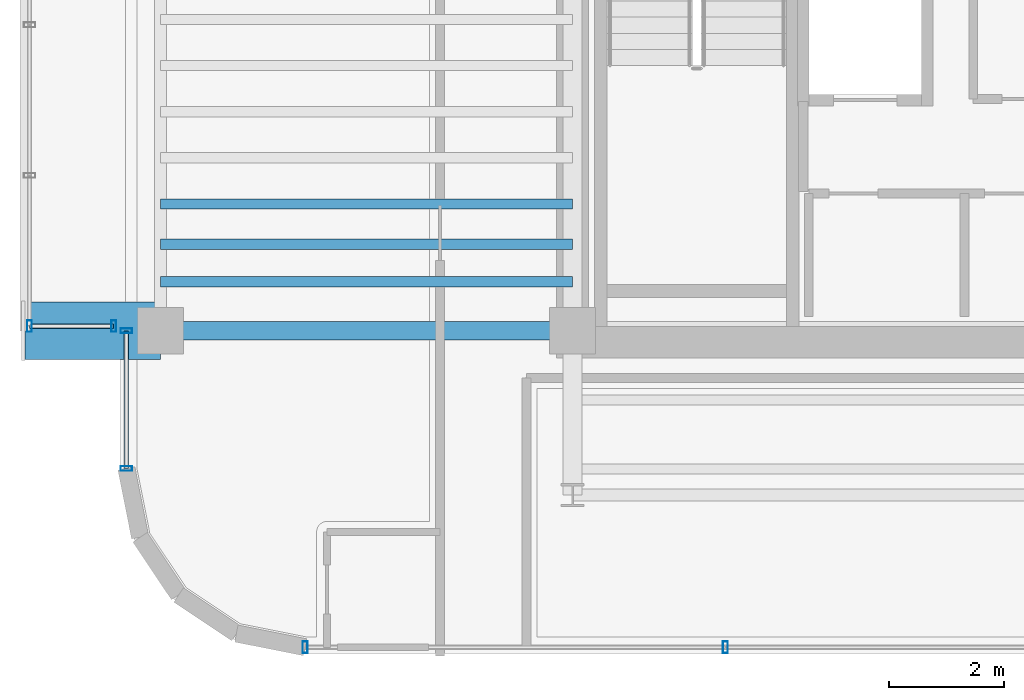
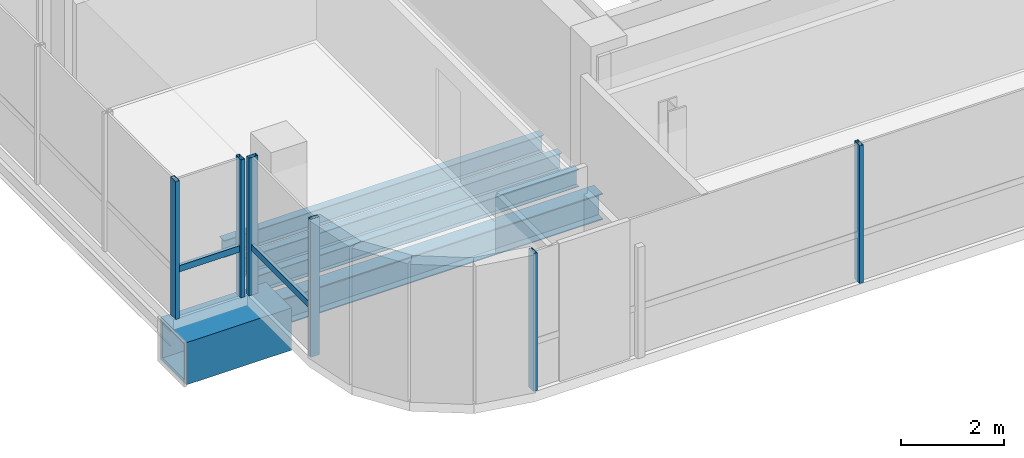
# One storey, part 2 of 19: 8 members, 5 beams, 3 elements without a shape of their own.
"""IFC4 building model written with IfcOpenShell, lengths in metres."""

from ifc_helpers import new_model, si_unit, direction, frame, origin, origin_2d, place, context, subcontext, project, spatial, hollow_rectangle, i_section, extrude, source, transform, mapped, material, material_profile, profile_set, type_object, element, aggregate, save


model = new_model("IFC4")

# Units and contexts
model_context = context("Model", 3, precision=1e-05, world=origin(), true_north=direction((0.0, 1.0)))
body_context = subcontext(model_context, "Body", "Model", "MODEL_VIEW")
ifc_project = project(units=[si_unit("LENGTHUNIT", "METRE"), si_unit("AREAUNIT", "SQUARE_METRE"), si_unit("VOLUMEUNIT", "CUBIC_METRE"), si_unit("PLANEANGLEUNIT", "RADIAN"), si_unit("MASSUNIT", "GRAM", prefix="KILO")], contexts=[model_context])

# Site, building, storey
site_placement = place(None, origin())
site = spatial("IfcSite", under=ifc_project, at=site_placement, CompositionType="ELEMENT")
building_placement = place(site_placement, origin())
building = spatial("IfcBuilding", under=site, at=building_placement, Name="Valdorenza Pilgrim Sanctuary Tower", CompositionType="ELEMENT")
storey_placement = place(building_placement, frame((0.0, 0.0, 266.0)))
storey = spatial("IfcBuildingStorey", under=building, at=storey_placement, Name="L69", CompositionType="ELEMENT", Elevation=266.0)

# Beams
ifc_material_1 = material(Name="Steel ASTM A992 Grade 50", Category="steel")
ifc_material_profile_1 = material_profile(ifc_material_1, i_section(OverallWidth=0.177978515625, OverallDepth=0.406005859375, WebThickness=0.0078125, FlangeThickness=0.0126953125, at=origin_2d()), Name="W16X40")
ifc_profile_set_1 = profile_set([ifc_material_profile_1], Name="Steel ASTM A992 Grade 50")
beam_type_1 = type_object("IfcBeamType", Name="STR-BM-JST-W16", PredefinedType="JOIST", material=ifc_profile_set_1)
shared_shape_1 = source(origin(), body_context, "Body", "SweptSolid", [
    extrude(i_section(OverallWidth=0.177978515625, OverallDepth=0.406005859375, WebThickness=0.0078125, FlangeThickness=0.0126953125, at=origin_2d()), origin(), (0.0, 0.0, 1.0), 7.150146484375),
])
for number, where, z_axis, x_axis, name in (
    (1, (-29.800048828125, -9.75, -0.443115234375), (1.0, 0.0, 0.0), (0.0, 1.0, 0.0), "L69 Composite Floor Joist JST-WA-1"),
    (2, (-29.800048828125, -9.10009765625, -0.443115234375), (1.0, 0.0, 0.0), (0.0, 1.0, 0.0), "L69 Composite Floor Joist JST-WA-2"),
    (3, (-29.800048828125, -8.39990234375, -0.443115234375), (1.0, 0.0, 0.0), (0.0, 1.0, 0.0), "L69 Composite Floor Joist JST-WA-3"),
):
    element("IfcBeam", number, at=place(storey_placement, frame(where, z_axis=z_axis, x_axis=x_axis)), inside=storey, type_object=beam_type_1, Name=name, PredefinedType="JOIST", context=body_context, shape_type="MappedRepresentation", body=[
        mapped(shared_shape_1, transform((0.0, 0.0, 0.0), x_axis=(1.0, 0.0, 0.0), y_axis=(0.0, 1.0, 0.0), z_axis=(0.0, 0.0, 1.0), scale=1.0)),
    ])
ifc_material_2 = material(Name="Steel ASTM A572 Grade 42", Category="steel")
ifc_material_profile_2 = material_profile(ifc_material_2, hollow_rectangle(XDim=1.0, YDim=1.0, WallThickness=0.080078125, at=origin_2d()), Name="BOX 1000x1000x80")
ifc_profile_set_2 = profile_set([ifc_material_profile_2], Name="Steel ASTM A572 Grade 42")
beam_type_2 = type_object("IfcBeamType", Name="STR-BM-PROW-CANT", PredefinedType="BEAM", material=ifc_profile_set_2)
shared_shape_2 = source(origin(), body_context, "Body", "SweptSolid", [
    extrude(hollow_rectangle(XDim=1.0, YDim=1.0, WallThickness=0.080078125, at=origin_2d()), origin(), (0.0, 0.0, 1.0), 2.349853515625),
])
beam_1_placement = place(storey_placement, frame((-29.800048828125, -10.60009765625, -0.739990234375), z_axis=(-1.0, 0.0, 0.0), x_axis=(0.0, -1.0, 0.0)))
element("IfcBeam", 4, at=beam_1_placement, inside=storey, type_object=beam_type_2, Name="L69 Glass Box Cantilever Beam BOX-WA-L69-CT-S", PredefinedType="BEAM", context=body_context, shape_type="MappedRepresentation", body=[
    mapped(shared_shape_2, transform((0.0, 0.0, 0.0), x_axis=(1.0, 0.0, 0.0), y_axis=(0.0, 1.0, 0.0), z_axis=(0.0, 0.0, 1.0), scale=1.0)),
])
ifc_material_profile_3 = material_profile(ifc_material_1, i_section(OverallWidth=0.326904296875, OverallDepth=0.6220703125, WebThickness=0.015380859375, FlangeThickness=0.0244140625, at=origin_2d()), Name="W24X131")
ifc_profile_set_3 = profile_set([ifc_material_profile_3], Name="Steel ASTM A992 Grade 50")
beam_type_3 = type_object("IfcBeamType", Name="STR-BM-GRD-W24A", PredefinedType="BEAM", material=ifc_profile_set_3)
shared_shape_3 = source(origin(), body_context, "Body", "SweptSolid", [
    extrude(i_section(OverallWidth=0.326904296875, OverallDepth=0.6220703125, WebThickness=0.015380859375, FlangeThickness=0.0244140625, at=origin_2d()), origin(), (0.0, 0.0, 1.0), 7.150146484375),
])
beam_2_placement = place(storey_placement, frame((-29.800048828125, -10.60009765625, -0.551025390625), z_axis=(1.0, 0.0, 0.0), x_axis=(0.0, 1.0, 0.0)))
element("IfcBeam", 5, at=beam_2_placement, inside=storey, type_object=beam_type_3, Name="L69 Floor Girder WA-XW-S1", PredefinedType="BEAM", context=body_context, shape_type="MappedRepresentation", body=[
    mapped(shared_shape_3, transform((0.0, 0.0, 0.0), x_axis=(1.0, 0.0, 0.0), y_axis=(0.0, 1.0, 0.0), z_axis=(0.0, 0.0, 1.0), scale=1.0)),
])

# Curtain wall, member
ifc_material_3 = material(Name="Curtain-wall IGU glazing", Category="glass")
curtain_wall_type = type_object("IfcCurtainWallType", Name="CW-SYS-02", PredefinedType="NOTDEFINED", material=ifc_material_3)
curtain_wall_1_placement = place(storey_placement, origin())
curtain_wall_1 = element("IfcCurtainWall", 6, at=curtain_wall_1_placement, inside=storey, type_object=curtain_wall_type, Name="L69 Curtain Wall CW-L69-BOX-WA-L69-S", PredefinedType="NOTDEFINED")
ifc_material_4 = material(Name="Anodised aluminium AW-6060", Category="aluminium")
ifc_material_profile_4 = material_profile(ifc_material_4, hollow_rectangle(XDim=0.074951171875, YDim=0.14990234375, WallThickness=0.00390625, at=origin_2d()), Name="ALU-T 150x75x4")
ifc_profile_set_4 = profile_set([ifc_material_profile_4], Name="Anodised aluminium AW-6060")
member_type_1 = type_object("IfcMemberType", Name="CW-TRN-02", PredefinedType="USERDEFINED", material=ifc_profile_set_4)
shared_shape_4 = source(origin(), body_context, "Body", "SweptSolid", [
    extrude(hollow_rectangle(XDim=0.074951171875, YDim=0.14990234375, WallThickness=0.00390625, at=origin_2d()), origin(), (0.0, 0.0, 1.0), 1.4599609375),
])
member_1_placement = place(storey_placement, frame((-30.610107421875, -10.52001953125, 1.1201171875), z_axis=(-1.0, 0.0, 0.0), x_axis=(0.0, -1.0, 0.0)))
member_1 = element("IfcMember", 7, at=member_1_placement, type_object=member_type_1, Name="CW-L69-BOX-WA-L69-S Transom 1", ObjectType="TRANSOM", PredefinedType="USERDEFINED", context=body_context, shape_type="MappedRepresentation", body=[
    mapped(shared_shape_4, transform((0.0, 0.0, 0.0), x_axis=(1.0, 0.0, 0.0), y_axis=(0.0, 1.0, 0.0), z_axis=(0.0, 0.0, 1.0), scale=1.0)),
])

# Curtain wall, members
curtain_wall_2_placement = place(storey_placement, origin())
curtain_wall_2 = element("IfcCurtainWall", 8, at=curtain_wall_2_placement, inside=storey, type_object=curtain_wall_type, Name="L69 Curtain Wall CW-L69-1-1S1", PredefinedType="NOTDEFINED")
ifc_material_profile_5 = material_profile(ifc_material_4, hollow_rectangle(XDim=0.0849609375, YDim=0.199951171875, WallThickness=0.0048828125, at=origin_2d()), Name="ALU-M 200x85x5")
ifc_profile_set_5 = profile_set([ifc_material_profile_5], Name="Anodised aluminium AW-6060")
member_type_2 = type_object("IfcMemberType", Name="CW-MUL-02", PredefinedType="MULLION", material=ifc_profile_set_5)
shared_shape_5 = source(origin(), body_context, "Body", "SweptSolid", [
    extrude(hollow_rectangle(XDim=0.0849609375, YDim=0.199951171875, WallThickness=0.0048828125, at=origin_2d()), origin(), (0.0, 0.0, 1.0), 3.260009765625),
])
member_2_placement = place(storey_placement, frame((-30.389892578125, -12.9892578125, 0.0), z_axis=(0.0, 0.0, 1.0), x_axis=(0.0, 1.0, 0.0)))
member_2 = element("IfcMember", 9, at=member_2_placement, type_object=member_type_2, Name="CW-L69-1-1S1 Mullion 1", PredefinedType="MULLION", context=body_context, shape_type="MappedRepresentation", body=[
    mapped(shared_shape_5, transform((0.0, 0.0, 0.0), x_axis=(1.0, 0.0, 0.0), y_axis=(0.0, 1.0, 0.0), z_axis=(0.0, 0.0, 1.0), scale=1.0)),
])
member_3_placement = place(storey_placement, frame((-30.389892578125, -10.60009765625, 0.0), z_axis=(0.0, 0.0, 1.0), x_axis=(0.0, 1.0, 0.0)))
member_3 = element("IfcMember", 10, at=member_3_placement, type_object=member_type_2, Name="CW-L69-1-1S1 Mullion 2", PredefinedType="MULLION", context=body_context, shape_type="MappedRepresentation", body=[
    mapped(shared_shape_5, transform((0.0, 0.0, 0.0), x_axis=(1.0, 0.0, 0.0), y_axis=(0.0, 1.0, 0.0), z_axis=(0.0, 0.0, 1.0), scale=1.0)),
])

curtain_wall_3_placement = place(storey_placement, origin())
curtain_wall_3 = element("IfcCurtainWall", 11, at=curtain_wall_3_placement, inside=storey, type_object=curtain_wall_type, Name="L69 Curtain Wall CW-L69-1-26", PredefinedType="NOTDEFINED")
member_4_placement = place(storey_placement, frame((-20.0, -16.090087890625, 0.0), z_axis=(0.0, 0.0, 1.0), x_axis=(-1.0, 0.0, 0.0)))
member_4 = element("IfcMember", 12, at=member_4_placement, type_object=member_type_2, Name="CW-L69-1-26 Mullion 2", PredefinedType="MULLION", context=body_context, shape_type="MappedRepresentation", body=[
    mapped(shared_shape_5, transform((0.0, 0.0, 0.0), x_axis=(1.0, 0.0, 0.0), y_axis=(0.0, 1.0, 0.0), z_axis=(0.0, 0.0, 1.0), scale=1.0)),
])
member_5_placement = place(storey_placement, frame((-27.289306640625, -16.090087890625, 0.0), z_axis=(0.0, 0.0, 1.0), x_axis=(-1.0, 0.0, 0.0)))
member_5 = element("IfcMember", 13, at=member_5_placement, type_object=member_type_2, Name="CW-L69-1-26 Mullion 3", PredefinedType="MULLION", context=body_context, shape_type="MappedRepresentation", body=[
    mapped(shared_shape_5, transform((0.0, 0.0, 0.0), x_axis=(1.0, 0.0, 0.0), y_axis=(0.0, 1.0, 0.0), z_axis=(0.0, 0.0, 1.0), scale=1.0)),
])
aggregate(curtain_wall_3, [member_4, member_5])

# Member
member_6_placement = place(storey_placement, frame((-30.610107421875, -10.52001953125, 0.0), z_axis=(0.0, 0.0, 1.0), x_axis=(-1.0, 0.0, 0.0)))
member_6 = element("IfcMember", 14, at=member_6_placement, type_object=member_type_2, Name="CW-L69-BOX-WA-L69-S Mullion 1", PredefinedType="MULLION", context=body_context, shape_type="MappedRepresentation", body=[
    mapped(shared_shape_5, transform((0.0, 0.0, 0.0), x_axis=(1.0, 0.0, 0.0), y_axis=(0.0, 1.0, 0.0), z_axis=(0.0, 0.0, 1.0), scale=1.0)),
])

member_7_placement = place(storey_placement, frame((-32.070068359375, -10.52001953125, 0.0), z_axis=(0.0, 0.0, 1.0), x_axis=(-1.0, 0.0, 0.0)))
member_7 = element("IfcMember", 15, at=member_7_placement, type_object=member_type_2, Name="CW-L69-BOX-WA-L69-S Mullion 2", PredefinedType="MULLION", context=body_context, shape_type="MappedRepresentation", body=[
    mapped(shared_shape_5, transform((0.0, 0.0, 0.0), x_axis=(1.0, 0.0, 0.0), y_axis=(0.0, 1.0, 0.0), z_axis=(0.0, 0.0, 1.0), scale=1.0)),
])

aggregate(curtain_wall_1, [member_6, member_7, member_1])

shared_shape_6 = source(origin(), body_context, "Body", "SweptSolid", [
    extrude(hollow_rectangle(XDim=0.074951171875, YDim=0.14990234375, WallThickness=0.00390625, at=origin_2d()), origin(), (0.0, 0.0, 1.0), 2.38916015625),
])
member_8_placement = place(storey_placement, frame((-30.389892578125, -12.9892578125, 1.1201171875), z_axis=(0.0, 1.0, 0.0), x_axis=(-1.0, 0.0, 0.0)))
member_8 = element("IfcMember", 16, at=member_8_placement, type_object=member_type_1, Name="CW-L69-1-1S1 Transom 1", ObjectType="TRANSOM", PredefinedType="USERDEFINED", context=body_context, shape_type="MappedRepresentation", body=[
    mapped(shared_shape_6, transform((0.0, 0.0, 0.0), x_axis=(1.0, 0.0, 0.0), y_axis=(0.0, 1.0, 0.0), z_axis=(0.0, 0.0, 1.0), scale=1.0)),
])

aggregate(curtain_wall_2, [member_2, member_3, member_8])

save(model, "model.ifc")
